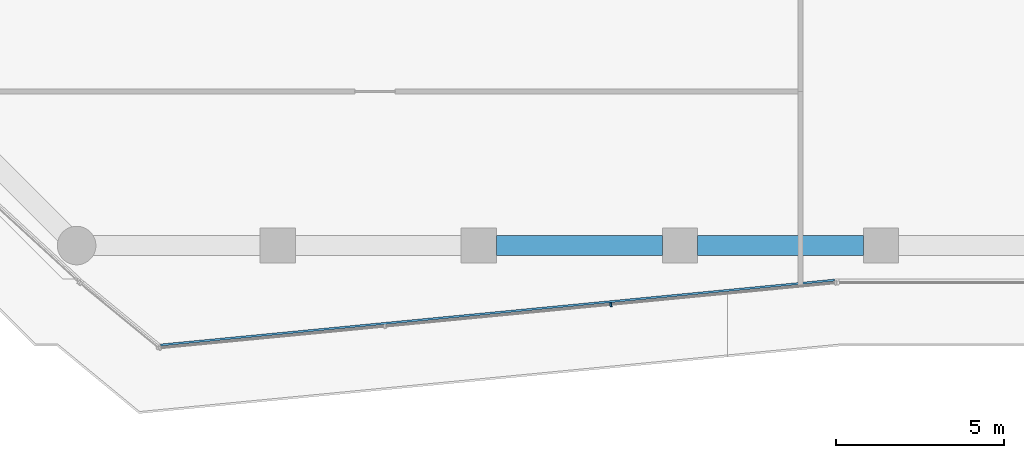
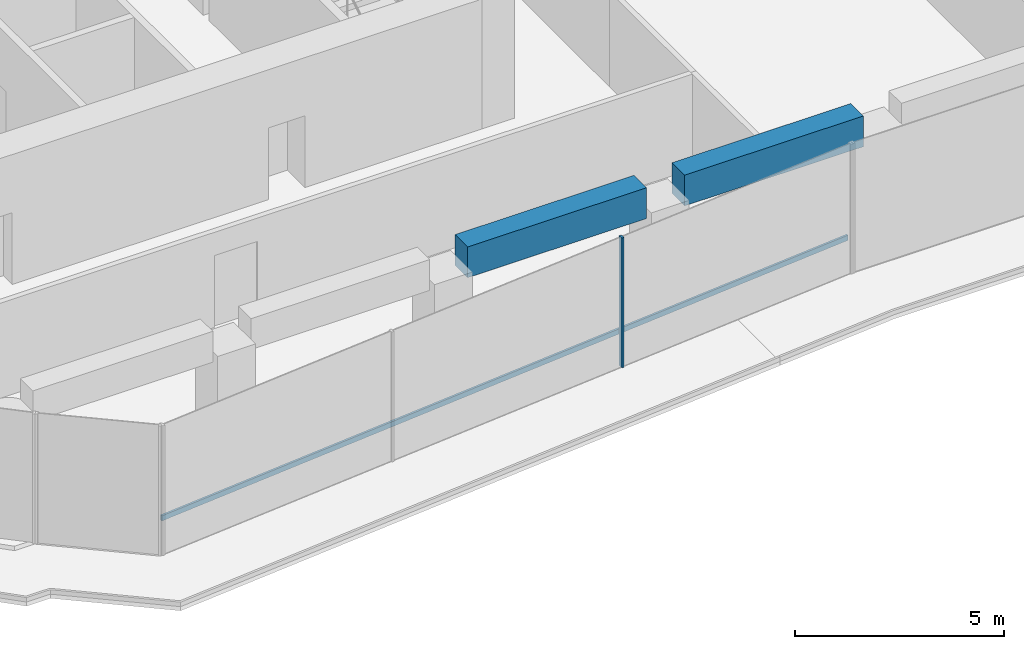
# One storey, part 3 of 30: 2 beams, 2 members, 1 element without a shape of its own.
"""IFC4 building model written with IfcOpenShell, lengths in metres."""

from ifc_helpers import new_model, si_unit, direction, frame, origin, origin_2d, place, context, subcontext, project, spatial, rectangle, extrude, material, layer, layer_set, material_profile, profile_set, type_object, element, aggregate, save


model = new_model("IFC4")

# Units and contexts
model_context = context("Model", 3, precision=1e-05, world=origin(), true_north=direction((0.0, 1.0)))
body_context = subcontext(model_context, "Body", "Model", "MODEL_VIEW")
ifc_project = project(units=[si_unit("LENGTHUNIT", "METRE"), si_unit("AREAUNIT", "SQUARE_METRE"), si_unit("VOLUMEUNIT", "CUBIC_METRE"), si_unit("PLANEANGLEUNIT", "RADIAN"), si_unit("MASSUNIT", "GRAM", prefix="KILO")], contexts=[model_context])

# Site, building, storey
site_placement = place(None, origin())
site = spatial("IfcSite", under=ifc_project, at=site_placement, CompositionType="ELEMENT")
building_placement = place(site_placement, origin())
building = spatial("IfcBuilding", under=site, at=building_placement, Name="Welwitschia Terrace Campus", CompositionType="ELEMENT")
storey_placement = place(building_placement, frame((0.0, 0.0, 75.199951171875)))
storey = spatial("IfcBuildingStorey", under=building, at=storey_placement, Name="L17", CompositionType="ELEMENT", Elevation=75.199951171875)

# Curtain wall, member
ifc_material_1 = material(Name="Bronze anodised aluminium", Category="aluminium")
ifc_layer = layer(ifc_material_1, 0.1201171875)
ifc_layer_set = layer_set([ifc_layer], Name="Bronze anodised aluminium")
curtain_wall_type = type_object("IfcCurtainWallType", Name="Curtain wall CW2 tower 6000", PredefinedType="NOTDEFINED", material=ifc_layer_set)
curtain_wall_placement = place(storey_placement, origin())
curtain_wall = element("IfcCurtainWall", 1, at=curtain_wall_placement, inside=storey, type_object=curtain_wall_type, Name="CW L17.2.0", PredefinedType="NOTDEFINED")
ifc_material_2 = material(Name="Bronze anodised aluminium", Category="aluminium")
ifc_material_profile_1 = material_profile(ifc_material_2, rectangle(XDim=0.1201171875, YDim=0.06005859375, at=origin_2d()))
ifc_profile_set_1 = profile_set([ifc_material_profile_1], Name="Bronze anodised aluminium")
member_type_1 = type_object("IfcMemberType", Name="Mullion 60x120", PredefinedType="MULLION", material=ifc_profile_set_1)
member_1_placement = place(storey_placement, frame((21.939208984375, -5.76318359375, 0.0), z_axis=(0.0, 0.0, 1.0), x_axis=(-0.09584575252, 0.995396198367, 0.0)))
member_1 = element("IfcMember", 2, at=member_1_placement, type_object=member_type_1, Name="Mullion L17.2.0.2", PredefinedType="MULLION", context=body_context, shape_type="SweptSolid", body=[
    extrude(rectangle(XDim=0.1201171875, YDim=0.06005859375, at=origin_2d()), origin(), (0.0, 0.0, 1.0), 3.800048828125),
])

# Beams
ifc_material_3 = material(Name="Concrete C60/75", Category="concrete")
ifc_material_profile_2 = material_profile(ifc_material_3, rectangle(XDim=0.60009765625, YDim=0.89990234375, at=origin_2d()))
ifc_profile_set_2 = profile_set([ifc_material_profile_2], Name="Concrete C60/75")
beam_type = type_object("IfcBeamType", Name="Ring spandrel 600x900", PredefinedType="SPANDREL", material=ifc_profile_set_2)
for number, where, z_axis, x_axis, name in (
    (3, (18.525390625, -4.0, 3.35009765625), (1.0, 0.0, 0.0), (0.0, 1.0, 0.0), "Spandrel SP2"),
    (4, (24.525390625, -4.0, 3.35009765625), (1.0, 0.0, 0.0), (0.0, 1.0, 0.0), "Spandrel SP2"),
):
    element("IfcBeam", number, at=place(storey_placement, frame(where, z_axis=z_axis, x_axis=x_axis)), inside=storey, type_object=beam_type, Name=name, PredefinedType="SPANDREL", context=body_context, shape_type="SweptSolid", body=[
        extrude(rectangle(XDim=0.60009765625, YDim=0.89990234375, at=origin_2d()), origin(), (0.0, 0.0, 1.0), 4.94921875),
    ])

# Member
ifc_material_4 = material(Name="Bronze anodised aluminium", Category="aluminium")
ifc_material_profile_3 = material_profile(ifc_material_4, rectangle(XDim=0.06005859375, YDim=0.14990234375, at=origin_2d()))
ifc_profile_set_3 = profile_set([ifc_material_profile_3], Name="Bronze anodised aluminium")
member_type_2 = type_object("IfcMemberType", Name="Transom 60x150", PredefinedType="USERDEFINED", material=ifc_profile_set_3)
member_2_placement = place(storey_placement, frame((8.507568359375, -6.966064453125, 1.0), z_axis=(0.995396552198, 0.095842077771, 0.0), x_axis=(-0.095842077771, 0.995396552198, 0.0)))
member_2 = element("IfcMember", 5, at=member_2_placement, type_object=member_type_2, Name="Transom L17.2.0", ObjectType="TRANSOM", PredefinedType="USERDEFINED", context=body_context, shape_type="SweptSolid", body=[
    extrude(rectangle(XDim=0.06005859375, YDim=0.14990234375, at=origin_2d()), origin(), (0.0, 0.0, 1.0), 20.19775390625),
])

aggregate(curtain_wall, [member_1, member_2])

save(model, "model.ifc")
